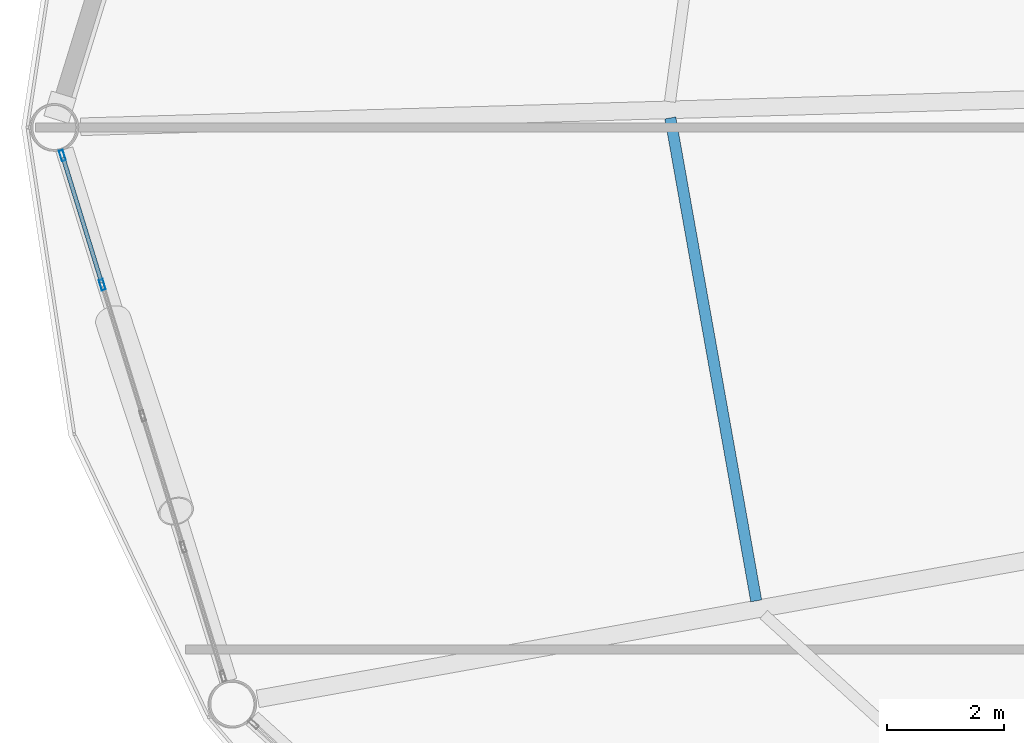
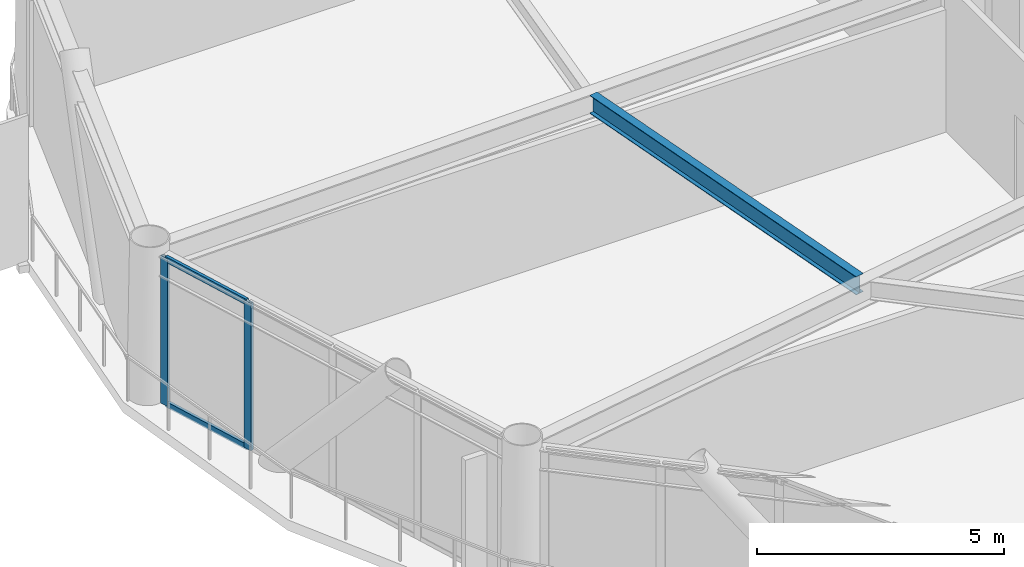
# One storey, part 8 of 25: 4 members, 1 beam, 1 element without a shape of its own.
"""IFC4 building model written with IfcOpenShell, lengths in metres."""

from ifc_helpers import new_model, si_unit, direction, frame, origin, origin_2d, place, context, subcontext, project, spatial, hollow_rectangle, i_section, extrude, material, layer, layer_set, material_profile, profile_set, type_object, element, aggregate, save


model = new_model("IFC4")

# Units and contexts
model_context = context("Model", 3, precision=1e-05, world=origin(), true_north=direction((0.0, 1.0)))
body_context = subcontext(model_context, "Body", "Model", "MODEL_VIEW")
ifc_project = project(units=[si_unit("LENGTHUNIT", "METRE"), si_unit("AREAUNIT", "SQUARE_METRE"), si_unit("VOLUMEUNIT", "CUBIC_METRE"), si_unit("PLANEANGLEUNIT", "RADIAN"), si_unit("MASSUNIT", "GRAM", prefix="KILO")], contexts=[model_context])

# Site, building, storey
site_placement = place(None, origin())
site = spatial("IfcSite", under=ifc_project, at=site_placement, CompositionType="ELEMENT")
building_placement = place(site_placement, origin())
building = spatial("IfcBuilding", under=site, at=building_placement, Name="Varnakorn Sky Granary", CompositionType="ELEMENT")
storey_placement = place(building_placement, frame((0.0, 0.0, 91.5)))
storey = spatial("IfcBuildingStorey", under=building, at=storey_placement, Name="L22", CompositionType="ELEMENT", Elevation=91.5)

# Beam
ifc_material_1 = material(Name="Steel S355JR", Category="steel")
ifc_material_profile_1 = material_profile(ifc_material_1, i_section(OverallWidth=0.18994140625, OverallDepth=0.449951171875, WebThickness=0.009521484375, FlangeThickness=0.0146484375, at=origin_2d()), Name="IPE 450")
ifc_profile_set_1 = profile_set([ifc_material_profile_1], Name="Steel S355JR")
beam_type = type_object("IfcBeamType", Name="BM-SEC-Z2", PredefinedType="BEAM", material=ifc_profile_set_1)
beam_placement = place(storey_placement, frame((-12.773193359375, 0.161865234375, 3.4150390625), z_axis=(0.175147817253, -0.984542148469, 0.0), x_axis=(0.984542148469, 0.175147817253, 0.0)))
element("IfcBeam", 1, at=beam_placement, inside=storey, type_object=beam_type, Name="Secondary Floor Chord Beam MSB07 L22", PredefinedType="BEAM", context=body_context, shape_type="SweptSolid", body=[
    extrude(i_section(OverallWidth=0.18994140625, OverallDepth=0.449951171875, WebThickness=0.009521484375, FlangeThickness=0.0146484375, at=origin_2d()), origin(), (0.0, 0.0, 1.0), 8.360595703125),
])

# Curtain wall, members
ifc_material_2 = material(Name="Anodised Bronze Aluminium Alloy 6063-T6", Category="aluminium")
ifc_layer = layer(ifc_material_2, 0.18994140625, Name="Anodised Bronze Aluminium Alloy 6063-T6")
ifc_layer_set = layer_set([ifc_layer], Name="Anodised Bronze Aluminium Alloy 6063-T6")
curtain_wall_type = type_object("IfcCurtainWallType", Name="CW-FRM-1", PredefinedType="USERDEFINED", material=ifc_layer_set)
curtain_wall_placement = place(storey_placement, origin())
curtain_wall = element("IfcCurtainWall", 2, at=curtain_wall_placement, inside=storey, type_object=curtain_wall_type, Name="Unitised Curtain Wall CW3 CW-L22-B07", ObjectType="CURTAIN WALL", PredefinedType="USERDEFINED")
ifc_material_profile_2 = material_profile(ifc_material_2, hollow_rectangle(XDim=0.070068359375, YDim=0.18505859375, WallThickness=0.00390625, at=origin_2d()), Name="ALU MULL 70x185")
ifc_profile_set_2 = profile_set([ifc_material_profile_2], Name="Anodised Bronze Aluminium Alloy 6063-T6")
member_type_1 = type_object("IfcMemberType", Name="CW-FRM-1-MULL", PredefinedType="MULLION", material=ifc_profile_set_2)
member_1_placement = place(storey_placement, frame((-22.455322265625, -2.68115234375, 0.0), z_axis=(0.0, 0.0, 1.0), x_axis=(-0.955517788397, -0.294933477341, 0.0)))
member_1 = element("IfcMember", 3, at=member_1_placement, type_object=member_type_1, Name="CW3 mullion 4", PredefinedType="MULLION", context=body_context, shape_type="SweptSolid", body=[
    extrude(hollow_rectangle(XDim=0.070068359375, YDim=0.18505859375, WallThickness=0.00390625, at=origin_2d()), origin(), (0.0, 0.0, 1.0), 3.639892578125),
])
member_2_placement = place(storey_placement, frame((-23.135009765625, -0.479248046875, 0.0), z_axis=(0.0, 0.0, 1.0), x_axis=(-0.955517788397, -0.294933477341, 0.0)))
member_2 = element("IfcMember", 4, at=member_2_placement, type_object=member_type_1, Name="CW3 mullion 5", PredefinedType="MULLION", context=body_context, shape_type="SweptSolid", body=[
    extrude(hollow_rectangle(XDim=0.070068359375, YDim=0.18505859375, WallThickness=0.00390625, at=origin_2d()), origin(), (0.0, 0.0, 1.0), 3.639892578125),
])
ifc_material_profile_3 = material_profile(ifc_material_2, hollow_rectangle(XDim=0.070068359375, YDim=0.139892578125, WallThickness=0.00341796875, at=origin_2d()), Name="ALU TRAN 70x140")
ifc_profile_set_3 = profile_set([ifc_material_profile_3], Name="Anodised Bronze Aluminium Alloy 6063-T6")
member_type_2 = type_object("IfcMemberType", Name="CW-FRM-1-TRAN", PredefinedType="USERDEFINED", material=ifc_profile_set_3)
member_3_placement = place(storey_placement, frame((-22.465576171875, -2.647705078125, 0.034912109375), z_axis=(-0.295007055556, 0.955495074384, 0.0), x_axis=(-0.955495074384, -0.295007055556, 0.0)))
member_3 = element("IfcMember", 5, at=member_3_placement, type_object=member_type_2, Name="CW3 transom 4.1", ObjectType="TRANSOM", PredefinedType="USERDEFINED", context=body_context, shape_type="SweptSolid", body=[
    extrude(hollow_rectangle(XDim=0.070068359375, YDim=0.139892578125, WallThickness=0.00341796875, at=origin_2d()), origin(), (0.0, 0.0, 1.0), 2.234375),
])
member_4_placement = place(storey_placement, frame((-22.465576171875, -2.647705078125, 3.60498046875), z_axis=(-0.295007055556, 0.955495074384, 0.0), x_axis=(-0.955495074384, -0.295007055556, 0.0)))
member_4 = element("IfcMember", 6, at=member_4_placement, type_object=member_type_2, Name="CW3 transom 4.2", ObjectType="TRANSOM", PredefinedType="USERDEFINED", context=body_context, shape_type="SweptSolid", body=[
    extrude(hollow_rectangle(XDim=0.070068359375, YDim=0.139892578125, WallThickness=0.00341796875, at=origin_2d()), origin(), (0.0, 0.0, 1.0), 2.234375),
])
aggregate(curtain_wall, [member_1, member_2, member_3, member_4])

save(model, "model.ifc")
